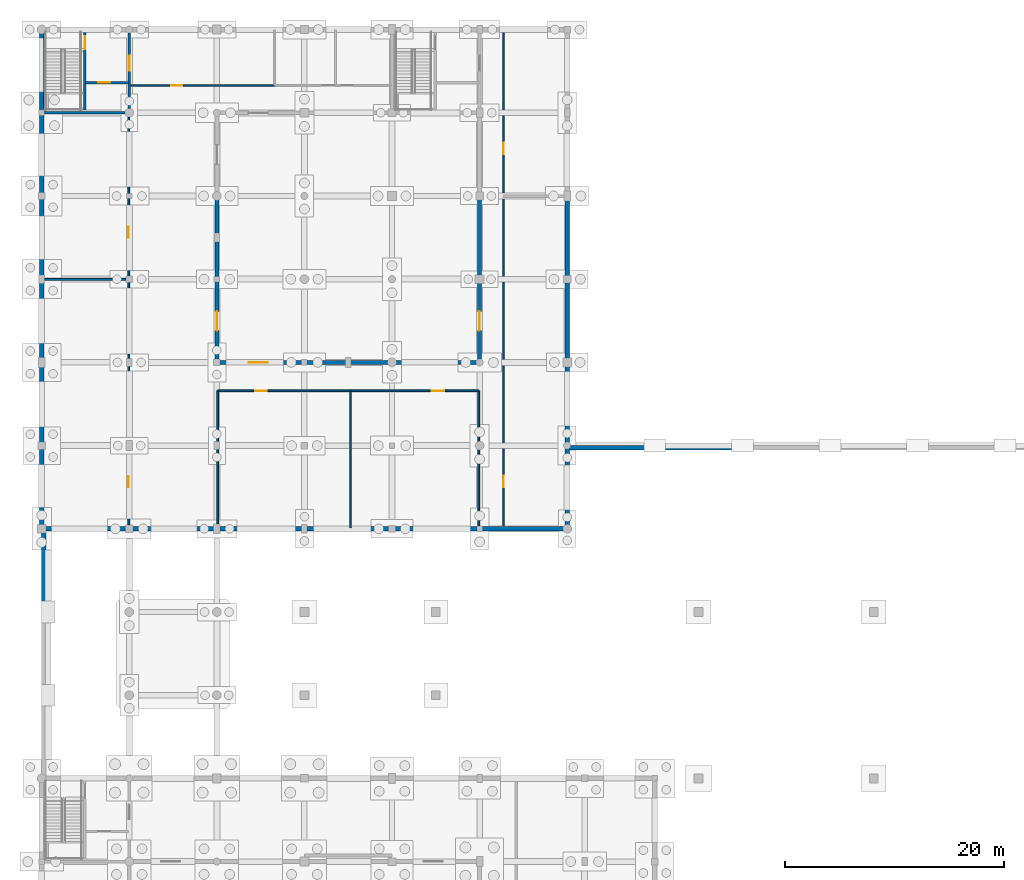
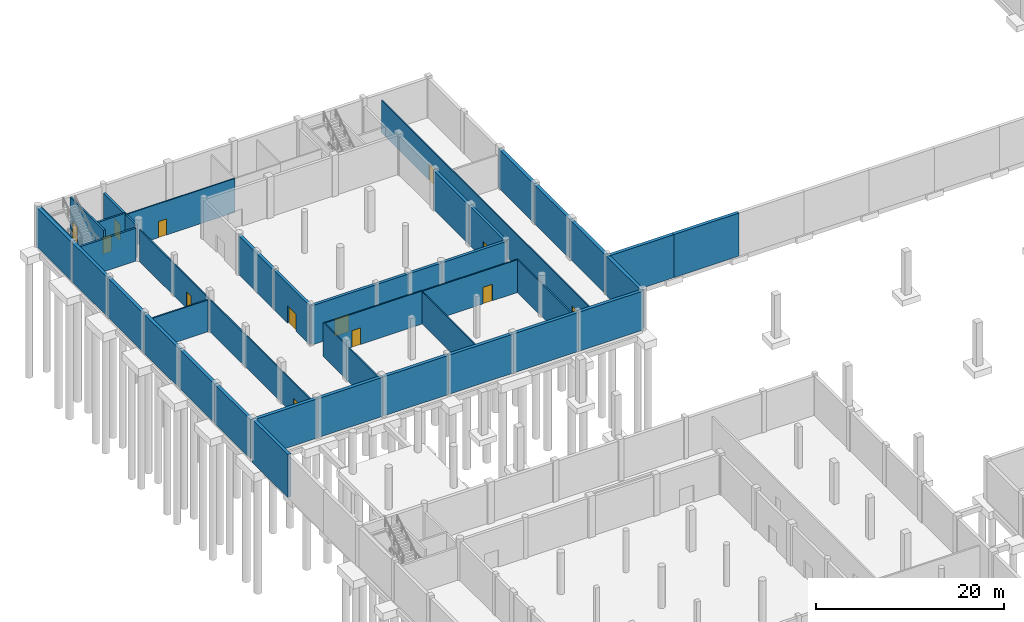
# One storey, part 26 of 44: 40 walls, 13 doors, 13 openings.
"""IFC4 building model written with IfcOpenShell, lengths in metres."""

import ifcopenshell
import ifcopenshell.guid

model = None  # the IFC model being written
_history = None  # IfcOwnerHistory: only IFC2X3 demands one
_inside = {}  # id of a spatial element -> (the spatial element, [elements in it])
_under = {}  # id of a project, library or spatial element -> (it, [spatial elements below it])
_declared = {}  # id of a project -> (the project, [libraries it declares])
_typed = {}  # id of a type object -> (the type object, [elements of that type])
_made_of = {}  # id of a material, layer set ... -> (it, [elements and type objects made of it])


def new_model(schema):
    """Start an empty IFC model of exactly this schema.

    Asked for "IFC4X3", IfcOpenShell would pick the latest addendum, in which some entities
    have other attributes; the version numbers below select the first issue.
    IFC2X3 requires an IfcOwnerHistory on every rooted entity: one is made here for all.
    """
    global model, _history
    if schema == "IFC4X3":
        model = ifcopenshell.file(schema_version=(4, 3, 0, 0))
    else:
        model = ifcopenshell.file(schema=schema)
    _inside.clear()
    _under.clear()
    _declared.clear()
    _typed.clear()
    _made_of.clear()
    _history = None
    if model.schema == "IFC2X3":
        org = make("IfcOrganization", Name="unknown")
        user = make(
            "IfcPersonAndOrganization",
            ThePerson=make("IfcPerson", FamilyName="unknown"),
            TheOrganization=org,
        )
        app = make(
            "IfcApplication",
            ApplicationDeveloper=org,
            Version="unknown",
            ApplicationFullName="unknown",
            ApplicationIdentifier="unknown",
        )
        _history = make(
            "IfcOwnerHistory",
            OwningUser=user,
            OwningApplication=app,
            ChangeAction="ADDED",
            CreationDate=0,
        )
    return model


def make(cls, **values):
    """One entity of the class cls with the attributes given. An attribute that is None is left unset."""
    return model.create_entity(
        cls, **{name: value for name, value in values.items() if value is not None}
    )


def rooted(cls, **values):
    """An entity with a GlobalId (a new one), such as an element, a storey or a relation."""
    return make(cls, GlobalId=ifcopenshell.guid.new(), OwnerHistory=_history, **values)


def si_unit(unit_type, name, prefix=None):
    """IfcSIUnit, for example si_unit("LENGTHUNIT", "METRE", prefix="MILLI")."""
    return make("IfcSIUnit", UnitType=unit_type, Prefix=prefix, Name=name)


def assignment(units):
    """IfcUnitAssignment: the units of a project."""
    return None if units is None else make("IfcUnitAssignment", Units=units)


def point(xyz):
    """IfcCartesianPoint."""
    return None if xyz is None else make("IfcCartesianPoint", Coordinates=xyz)


def direction(xyz):
    """IfcDirection."""
    return None if xyz is None else make("IfcDirection", DirectionRatios=xyz)


def frame(location, z_axis=None, x_axis=None):
    """IfcAxis2Placement3D, a coordinate frame: its origin and axes. An axis left out is left unset."""
    return make(
        "IfcAxis2Placement3D",
        Location=point(location),
        Axis=direction(z_axis),
        RefDirection=direction(x_axis),
    )


def frame_2d(location, x_axis=None):
    """IfcAxis2Placement2D, a coordinate frame in the plane: its origin and x axis."""
    return make(
        "IfcAxis2Placement2D", Location=point(location), RefDirection=direction(x_axis)
    )


def origin():
    """The frame at (0, 0, 0) with its axes left unset."""
    return frame((0.0, 0.0, 0.0))


def place(relative_to, where):
    """IfcLocalPlacement: puts the frame where relative to a parent placement (None: the world)."""
    return make(
        "IfcLocalPlacement", PlacementRelTo=relative_to, RelativePlacement=where
    )


def context(
    kind, dimensions, precision=None, world=None, true_north=None, identifier=None
):
    """IfcGeometricRepresentationContext, for example the 3D "Model" context."""
    return make(
        "IfcGeometricRepresentationContext",
        ContextIdentifier=identifier,
        ContextType=kind,
        CoordinateSpaceDimension=dimensions,
        Precision=precision,
        WorldCoordinateSystem=world,
        TrueNorth=true_north,
    )


def subcontext(parent, identifier, kind, view, scale=None):
    """IfcGeometricRepresentationSubContext, for example "Body" below "Model"."""
    return make(
        "IfcGeometricRepresentationSubContext",
        ContextIdentifier=identifier,
        ContextType=kind,
        ParentContext=parent,
        TargetScale=scale,
        TargetView=view,
    )


def project(units=None, contexts=None):
    """IfcProject with its units and contexts."""
    return rooted(
        "IfcProject",
        Name="project",
        RepresentationContexts=contexts,
        UnitsInContext=assignment(units),
    )


def spatial(cls, under=None, at=None, **own):
    """A site, building, storey or space (cls), placed at a placement, below another one or the project."""
    s = rooted(cls, ObjectPlacement=at, **own)
    if under is not None:
        _under.setdefault(under.id(), (under, []))[1].append(s)
    return s


def profile(cls, at=None, kind="AREA", **sizes):
    """A parametric profile (cls). Its sizes go by their IFC names, for example OverallWidth=200.0."""
    return make(cls, ProfileType=kind, Position=at, **sizes)


def rectangle(**sizes):
    """IfcRectangleProfileDef."""
    return profile("IfcRectangleProfileDef", **sizes)


def extrude(swept, where, along, depth):
    """IfcExtrudedAreaSolid: the profile swept, set in the frame where, extruded along a direction by depth."""
    return make(
        "IfcExtrudedAreaSolid",
        SweptArea=swept,
        Position=where,
        ExtrudedDirection=direction(along),
        Depth=depth,
    )


def shape(context_of_items, identifier, shape_type, items):
    """IfcShapeRepresentation: the items that make up one representation, for example the "Body"."""
    return make(
        "IfcShapeRepresentation",
        ContextOfItems=context_of_items,
        RepresentationIdentifier=identifier,
        RepresentationType=shape_type,
        Items=items,
    )


def material(Name=None, Category=None):
    """IfcMaterial."""
    return make("IfcMaterial", Name=Name, Category=Category)


def layer(
    of_material, thickness, ventilated=None, Name=None, Category=None, Priority=None
):
    """IfcMaterialLayer: one layer of a wall or slab, of a material (None: an air gap)."""
    return make(
        "IfcMaterialLayer",
        Material=of_material,
        LayerThickness=thickness,
        IsVentilated=ventilated,
        Name=Name,
        Category=Category,
        Priority=Priority,
    )


def layer_set(layers, Name=None):
    """IfcMaterialLayerSet."""
    return make("IfcMaterialLayerSet", MaterialLayers=layers, LayerSetName=Name)


def made_of(thing, what):
    """Note that an element or type object is made of a material, layer set ...; save() writes the relation."""
    if what is not None:
        _made_of.setdefault(what.id(), (what, []))[1].append(thing)
    return thing


def type_object(cls, material=None, **own):
    """A type object (cls), such as IfcWallType, which elements share."""
    return made_of(rooted(cls, **own), material)


def element(
    cls,
    number,
    at=None,
    inside=None,
    cuts=None,
    type_object=None,
    material=None,
    context=None,
    identifier="Body",
    shape_type=None,
    held_by="IfcProductDefinitionShape",
    body=None,
    shapes=None,
    **own,
):
    """One element of the class cls, such as IfcWall. Its Tag is "e" and its number.

    at: its placement. inside: the storey or other place that contains it. cuts: it is an
    opening in that element (IfcRelVoidsElement). A single representation is given by context,
    identifier, shape_type and body (its items); several are given by shapes. held_by: the class
    of the entity that holds the representations. save() writes the other relations.
    """
    e = rooted(cls, Tag="e%d" % number, ObjectPlacement=at, **own)
    if body is not None:
        shapes = [shape(context, identifier, shape_type, body)]
    if shapes is not None:
        e.Representation = make(held_by, Representations=shapes)
    if inside is not None:
        _inside.setdefault(inside.id(), (inside, []))[1].append(e)
    if cuts is not None:
        rooted(
            "IfcRelVoidsElement", RelatingBuildingElement=cuts, RelatedOpeningElement=e
        )
    if type_object is not None:
        _typed.setdefault(type_object.id(), (type_object, []))[1].append(e)
    return made_of(e, material)


def fill(opening, filler):
    """IfcRelFillsElement: the door or window that sits in an opening."""
    return rooted(
        "IfcRelFillsElement",
        RelatingOpeningElement=opening,
        RelatedBuildingElement=filler,
    )


def aggregate(whole, parts):
    """IfcRelAggregates: a whole, such as a stair, and the parts it consists of."""
    return rooted("IfcRelAggregates", RelatingObject=whole, RelatedObjects=parts)


def save(model, path):
    """Write the relations noted so far, then the file.

    IfcRelAggregates (storeys below a building ...), IfcRelContainedInSpatialStructure (elements
    in a storey), IfcRelDefinesByType, IfcRelAssociatesMaterial and IfcRelDeclares: one each for
    every whole, place, type object, material and project.
    """
    for whole, parts in _under.values():
        aggregate(whole, parts)
    for where, things in _inside.values():
        rooted(
            "IfcRelContainedInSpatialStructure",
            RelatedElements=things,
            RelatingStructure=where,
        )
    for kind, things in _typed.values():
        rooted("IfcRelDefinesByType", RelatedObjects=things, RelatingType=kind)
    for what, things in _made_of.values():
        rooted("IfcRelAssociatesMaterial", RelatedObjects=things, RelatingMaterial=what)
    for by, libraries in _declared.values():
        rooted("IfcRelDeclares", RelatingContext=by, RelatedDefinitions=libraries)
    model.write(path)


model = new_model("IFC4")

# Units and contexts
model_context = context("Model", 3, precision=1e-05, world=origin(), true_north=direction((0.0, 1.0)))
body_context = subcontext(model_context, "Body", "Model", "MODEL_VIEW")
ifc_project = project(units=[si_unit("LENGTHUNIT", "METRE"), si_unit("AREAUNIT", "SQUARE_METRE"), si_unit("VOLUMEUNIT", "CUBIC_METRE"), si_unit("PLANEANGLEUNIT", "RADIAN"), si_unit("MASSUNIT", "GRAM", prefix="KILO")], contexts=[model_context])

# Site, building, storey
site_placement = place(None, origin())
site = spatial("IfcSite", under=ifc_project, at=site_placement, CompositionType="ELEMENT")
building_placement = place(site_placement, origin())
building = spatial("IfcBuilding", under=site, at=building_placement, Name="Khelvaren Railside Concert Hall", CompositionType="ELEMENT")
storey_placement = place(building_placement, frame((0.0, 0.0, -5.39990234375)))
storey = spatial("IfcBuildingStorey", under=building, at=storey_placement, Name="B1", CompositionType="ELEMENT", Elevation=-5.39990234375)

# Walls
ifc_material_1 = material(Name="Concrete C40/50", Category="concrete")
ifc_layer_1 = layer(ifc_material_1, 0.139892578125)
ifc_layer_set_1 = layer_set([ifc_layer_1], Name="Concrete C40/50")
wall_type_1 = type_object("IfcWallType", Name="CW17", PredefinedType="SOLIDWALL", material=ifc_layer_set_1)
wall_1_placement = place(storey_placement, frame((0.27490234375, 106.550048828125, 0.0), z_axis=(0.0, 0.0, 1.0), x_axis=(0.0, 1.0, 0.0)))
element("IfcWall", 1, at=wall_1_placement, inside=storey, type_object=wall_type_1, Name="Core Shaft Structural Liner Wall ST-07-B1", PredefinedType="SOLIDWALL", context=body_context, shape_type="SweptSolid", body=[
    extrude(rectangle(XDim=7.300048828125, YDim=0.139892578125, at=frame_2d((3.64990234375, 0.0))), origin(), (0.0, 0.0, 1.0), 5.079833984375),
])
ifc_layer_2 = layer(ifc_material_1, 0.25)
ifc_layer_set_2 = layer_set([ifc_layer_2], Name="Concrete C40/50")
wall_type_2 = type_object("IfcWallType", Name="CW82", PredefinedType="SOLIDWALL", material=ifc_layer_set_2)
wall_2_placement = place(storey_placement, frame((0.25, 106.39990234375, 0.0), z_axis=(0.0, 0.0, 1.0), x_axis=(1.0, 0.0, 0.0)))
element("IfcWall", 2, at=wall_2_placement, inside=storey, type_object=wall_type_2, Name="Core Enclosure Wall CWALL-ST-07-B1-S", PredefinedType="SOLIDWALL", context=body_context, shape_type="SweptSolid", body=[
    extrude(rectangle(XDim=7.35009765625, YDim=0.25, at=frame_2d((3.675048828125, 0.0))), origin(), (0.0, 0.0, 1.0), 4.2548828125),
])

# Wall, opening, door
wall_3_placement = place(storey_placement, frame((8.0, 106.800048828125, 0.0), z_axis=(0.0, 0.0, 1.0), x_axis=(0.0, 1.0, 0.0)))
wall_3 = element("IfcWall", 3, at=wall_3_placement, inside=storey, type_object=wall_type_2, Name="Core Enclosure Wall CWALL-ST-07-B1-E", PredefinedType="SOLIDWALL", context=body_context, shape_type="SweptSolid", body=[
    extrude(rectangle(XDim=6.875, YDim=0.25, at=frame_2d((3.4375, 0.0))), origin(), (0.0, 0.0, 1.0), 4.2548828125),
])
opening_1_placement = place(wall_3_placement, frame((3.449951171875, 0.0, 0.0)))
opening_1 = element("IfcOpeningElement", 4, at=opening_1_placement, cuts=wall_3, Name="Opening FDR34", PredefinedType="OPENING", context=body_context, shape_type="SweptSolid", body=[
    extrude(rectangle(XDim=1.35009765625, YDim=2.199951171875, at=frame_2d((0.675048828125, 1.10009765625))), frame((0.0, 0.135009765625, 0.0), z_axis=(0.0, -1.0, 0.0), x_axis=(1.0, 0.0, 0.0)), (0.0, 0.0, 1.0), 0.27001953125),
])
ifc_material_2 = material(Name="Acoustic fire-rated timber-core steel frame door", Category="steel")
door_type_1 = type_object("IfcDoorType", Name="FDR34", OperationType="NOTDEFINED", PredefinedType="DOOR", material=ifc_material_2)
door_1_placement = place(opening_1_placement, origin())
door_1 = element("IfcDoor", 5, at=door_1_placement, inside=storey, type_object=door_type_1, Name="Interior Door DR-ST-07-B1-LOB", OperationType="SINGLE_SWING_LEFT", OverallHeight=2.199951171875, OverallWidth=1.35009765625, PredefinedType="DOOR", context=body_context, shape_type="SweptSolid", body=[
    extrude(rectangle(XDim=1.35009765625, YDim=2.199951171875, at=frame_2d((0.675048828125, 1.10009765625))), frame((0.0, 0.02490234375, 0.0), z_axis=(0.0, -1.0, 0.0), x_axis=(1.0, 0.0, 0.0)), (0.0, 0.0, 1.0), 0.050048828125),
])
fill(opening_1, door_1)

ifc_layer_3 = layer(ifc_material_1, 0.219970703125)
ifc_layer_set_3 = layer_set([ifc_layer_3], Name="Concrete C40/50")
wall_type_3 = type_object("IfcWallType", Name="CW97", PredefinedType="SOLIDWALL", material=ifc_layer_set_3)
wall_4_placement = place(storey_placement, frame((3.949951171875, 106.64990234375, 0.0), z_axis=(0.0, 0.0, 1.0), x_axis=(0.0, 1.0, 0.0)))
wall_4 = element("IfcWall", 6, at=wall_4_placement, inside=storey, type_object=wall_type_3, Name="Core Enclosure Wall CWALL-ST-07-B1-MID", PredefinedType="SOLIDWALL", context=body_context, shape_type="SweptSolid", body=[
    extrude(rectangle(XDim=7.10009765625, YDim=0.219970703125, at=frame_2d((3.550048828125, 0.0))), origin(), (0.0, 0.0, 1.0), 5.079833984375),
])
opening_2_placement = place(wall_4_placement, frame((5.550048828125, 0.0, 0.0)))
opening_2 = element("IfcOpeningElement", 7, at=opening_2_placement, cuts=wall_4, Name="Opening FDR17", PredefinedType="OPENING", context=body_context, shape_type="SweptSolid", body=[
    extrude(rectangle(XDim=1.199951171875, YDim=2.14990234375, at=frame_2d((0.60009765625, 1.074951171875))), frame((0.0, 0.119873046875, 0.0), z_axis=(0.0, -1.0, 0.0), x_axis=(1.0, 0.0, 0.0)), (0.0, 0.0, 1.0), 0.239990234375),
])
door_type_2 = type_object("IfcDoorType", Name="FDR17", OperationType="NOTDEFINED", PredefinedType="DOOR", material=ifc_material_2)
door_2_placement = place(opening_2_placement, origin())
door_2 = element("IfcDoor", 8, at=door_2_placement, inside=storey, type_object=door_type_2, Name="Interior Door DR-ST-07-B1-ST", OperationType="SINGLE_SWING_RIGHT", OverallHeight=2.14990234375, OverallWidth=1.199951171875, PredefinedType="DOOR", context=body_context, shape_type="SweptSolid", body=[
    extrude(rectangle(XDim=1.199951171875, YDim=2.14990234375, at=frame_2d((0.60009765625, 1.074951171875))), frame((0.0, 0.02490234375, 0.0), z_axis=(0.0, -1.0, 0.0), x_axis=(1.0, 0.0, 0.0)), (0.0, 0.0, 1.0), 0.050048828125),
])
fill(opening_2, door_2)

wall_5_placement = place(storey_placement, frame((4.02001953125, 109.14990234375, 0.0), z_axis=(0.0, 0.0, 1.0), x_axis=(1.0, 0.0, 0.0)))
wall_5 = element("IfcWall", 9, at=wall_5_placement, inside=storey, type_object=wall_type_3, Name="Core Enclosure Wall CWALL-ST-07-B1-SHF", PredefinedType="SOLIDWALL", context=body_context, shape_type="SweptSolid", body=[
    extrude(rectangle(XDim=3.929931640625, YDim=0.219970703125, at=frame_2d((1.96484375, 0.0))), origin(), (0.0, 0.0, 1.0), 4.429931640625),
])
opening_3_placement = place(wall_5_placement, frame((1.14990234375, 0.0, 0.0)))
opening_3 = element("IfcOpeningElement", 10, at=opening_3_placement, cuts=wall_5, Name="Opening LD-PL-05", PredefinedType="OPENING", context=body_context, shape_type="SweptSolid", body=[
    extrude(rectangle(XDim=1.10009765625, YDim=2.199951171875, at=frame_2d((0.550048828125, 1.10009765625))), frame((0.0, 0.119873046875, 0.0), z_axis=(0.0, -1.0, 0.0), x_axis=(1.0, 0.0, 0.0)), (0.0, 0.0, 1.0), 0.239990234375),
])
ifc_material_3 = material(Name="Fire-rated brushed stainless steel landing door", Category="steel")
door_type_3 = type_object("IfcDoorType", Name="LD96", OperationType="DOUBLE_DOOR_SLIDING", PredefinedType="DOOR", material=ifc_material_3)
door_3_placement = place(opening_3_placement, origin())
door_3 = element("IfcDoor", 11, at=door_3_placement, inside=storey, type_object=door_type_3, Name="Lift Landing Door LD-PL-05-B1", OperationType="DOUBLE_DOOR_SLIDING", OverallHeight=2.199951171875, OverallWidth=1.10009765625, PredefinedType="DOOR", context=body_context, shape_type="SweptSolid", body=[
    extrude(rectangle(XDim=1.10009765625, YDim=2.199951171875, at=frame_2d((0.550048828125, 1.10009765625))), frame((0.0, 0.02490234375, 0.0), z_axis=(0.0, -1.0, 0.0), x_axis=(1.0, 0.0, 0.0)), (0.0, 0.0, 1.0), 0.050048828125),
])
fill(opening_3, door_3)

# Walls
ifc_material_4 = material(Name="Acoustic double-stud gypsum partition", Category="gypsum")
ifc_layer_4 = layer(ifc_material_4, 0.1298828125)
ifc_layer_set_4 = layer_set([ifc_layer_4], Name="Acoustic double-stud gypsum partition")
wall_type_4 = type_object("IfcWallType", Name="PT31", PredefinedType="PARTITIONING", material=ifc_layer_set_4)
wall_6_placement = place(storey_placement, frame((28.201904296875, 68.47998046875, 0.0), z_axis=(0.0, 0.0, 1.0), x_axis=(0.0, 1.0, 0.0)))
element("IfcWall", 12, at=wall_6_placement, inside=storey, type_object=wall_type_4, Name="Acoustic Partition Wall PW-V4-B1-SB-D01", PredefinedType="PARTITIONING", context=body_context, shape_type="SweptSolid", body=[
    extrude(rectangle(XDim=12.52001953125, YDim=0.1298828125, at=frame_2d((6.260009765625, 0.0))), origin(), (0.0, 0.0, 1.0), 4.15478515625),
])
ifc_layer_5 = layer(ifc_material_4, 0.179931640625)
ifc_layer_set_5 = layer_set([ifc_layer_5], Name="Acoustic double-stud gypsum partition")
wall_type_5 = type_object("IfcWallType", Name="PT53", PredefinedType="PARTITIONING", material=ifc_layer_set_5)
wall_7_placement = place(storey_placement, frame((0.25, 91.179931640625, 0.0), z_axis=(0.0, 0.0, 1.0), x_axis=(1.0, 0.0, 0.0)))
element("IfcWall", 13, at=wall_7_placement, inside=storey, type_object=wall_type_5, Name="Acoustic Partition Wall PW-V4-B1-WB-D01", PredefinedType="PARTITIONING", context=body_context, shape_type="SweptSolid", body=[
    extrude(rectangle(XDim=7.449951171875, YDim=0.179931640625, at=frame_2d((3.72509765625, 0.0))), origin(), (0.0, 0.0, 1.0), 4.119873046875),
])

# Wall, opening, door
ifc_layer_6 = layer(ifc_material_4, 0.139892578125)
ifc_layer_set_6 = layer_set([ifc_layer_6], Name="Acoustic double-stud gypsum partition")
wall_type_6 = type_object("IfcWallType", Name="PT55", PredefinedType="PARTITIONING", material=ifc_layer_set_6)
wall_8_placement = place(storey_placement, frame((8.080078125, 108.89990234375, 0.0), z_axis=(0.0, 0.0, 1.0), x_axis=(1.0, 0.0, 0.0)))
wall_8 = element("IfcWall", 14, at=wall_8_placement, inside=storey, type_object=wall_type_6, Name="Acoustic Partition Wall PW-V4-B1-NB-C01", PredefinedType="PARTITIONING", context=body_context, shape_type="SweptSolid", body=[
    extrude(rectangle(XDim=13.18798828125, YDim=0.139892578125, at=frame_2d((6.593994140625, 0.0))), origin(), (0.0, 0.0, 1.0), 4.40478515625),
])
opening_4_placement = place(wall_8_placement, frame((3.744384765625, 0.0, 0.0)))
opening_4 = element("IfcOpeningElement", 15, at=opening_4_placement, cuts=wall_8, Name="Opening IDR87", PredefinedType="OPENING", context=body_context, shape_type="SweptSolid", body=[
    extrude(rectangle(XDim=1.02001953125, YDim=2.10009765625, at=frame_2d((0.510009765625, 1.050048828125))), frame((0.0, 0.079833984375, 0.0), z_axis=(0.0, -1.0, 0.0), x_axis=(1.0, 0.0, 0.0)), (0.0, 0.0, 1.0), 0.159912109375),
])
ifc_material_5 = material(Name="Solid oak acoustic studio door", Category="wood")
door_type_4 = type_object("IfcDoorType", Name="IDR87", OperationType="NOTDEFINED", PredefinedType="DOOR", material=ifc_material_5)
door_4_placement = place(opening_4_placement, origin())
door_4 = element("IfcDoor", 16, at=door_4_placement, inside=storey, type_object=door_type_4, Name="Interior Door DR-V4-B1-NB-01", OperationType="SINGLE_SWING_RIGHT", OverallHeight=2.10009765625, OverallWidth=1.02001953125, PredefinedType="DOOR", context=body_context, shape_type="SweptSolid", body=[
    extrude(rectangle(XDim=1.02001953125, YDim=2.10009765625, at=frame_2d((0.510009765625, 1.050048828125))), frame((0.0, 0.02490234375, 0.0), z_axis=(0.0, -1.0, 0.0), x_axis=(1.0, 0.0, 0.0)), (0.0, 0.0, 1.0), 0.050048828125),
])
fill(opening_4, door_4)

# Wall, openings, doors
wall_9_placement = place(storey_placement, frame((42.199951171875, 68.47998046875, 0.0), z_axis=(0.0, 0.0, 1.0), x_axis=(0.0, 1.0, 0.0)))
wall_9 = element("IfcWall", 17, at=wall_9_placement, inside=storey, type_object=wall_type_6, Name="Acoustic Partition Wall PW-V4-B1-EB-W", PredefinedType="PARTITIONING", context=body_context, shape_type="SweptSolid", body=[
    extrude(rectangle(XDim=45.43994140625, YDim=0.139892578125, at=frame_2d((22.719970703125, 0.0))), origin(), (0.0, 0.0, 1.0), 4.204833984375),
])
opening_5_placement = place(wall_9_placement, frame((3.719970703125, 0.0, 0.0)))
opening_5 = element("IfcOpeningElement", 18, at=opening_5_placement, cuts=wall_9, Name="Opening IDR24", PredefinedType="OPENING", context=body_context, shape_type="SweptSolid", body=[
    extrude(rectangle(XDim=1.0400390625, YDim=2.14990234375, at=frame_2d((0.52001953125, 1.074951171875))), frame((0.0, 0.079833984375, 0.0), z_axis=(0.0, -1.0, 0.0), x_axis=(1.0, 0.0, 0.0)), (0.0, 0.0, 1.0), 0.159912109375),
])
opening_6_placement = place(wall_9_placement, frame((34.1201171875, 0.0, 0.0)))
opening_6 = element("IfcOpeningElement", 19, at=opening_6_placement, cuts=wall_9, Name="Opening IDR62", PredefinedType="OPENING", context=body_context, shape_type="SweptSolid", body=[
    extrude(rectangle(XDim=1.070068359375, YDim=2.14990234375, at=frame_2d((0.53515625, 1.074951171875))), frame((0.0, 0.079833984375, 0.0), z_axis=(0.0, -1.0, 0.0), x_axis=(1.0, 0.0, 0.0)), (0.0, 0.0, 1.0), 0.159912109375),
])
door_type_5 = type_object("IfcDoorType", Name="IDR24", OperationType="NOTDEFINED", PredefinedType="DOOR", material=ifc_material_5)
door_5_placement = place(opening_5_placement, origin())
door_5 = element("IfcDoor", 20, at=door_5_placement, inside=storey, type_object=door_type_5, Name="Interior Door DR-V4-B1-EB-01", OperationType="SINGLE_SWING_LEFT", OverallHeight=2.14990234375, OverallWidth=1.0400390625, PredefinedType="DOOR", context=body_context, shape_type="SweptSolid", body=[
    extrude(rectangle(XDim=1.0400390625, YDim=2.14990234375, at=frame_2d((0.52001953125, 1.074951171875))), frame((0.0, 0.02490234375, 0.0), z_axis=(0.0, -1.0, 0.0), x_axis=(1.0, 0.0, 0.0)), (0.0, 0.0, 1.0), 0.050048828125),
])
fill(opening_5, door_5)
door_type_6 = type_object("IfcDoorType", Name="IDR62", OperationType="NOTDEFINED", PredefinedType="DOOR", material=ifc_material_5)
door_6_placement = place(opening_6_placement, origin())
door_6 = element("IfcDoor", 21, at=door_6_placement, inside=storey, type_object=door_type_6, Name="Interior Door DR-V4-B1-EB-02", OperationType="SINGLE_SWING_RIGHT", OverallHeight=2.14990234375, OverallWidth=1.070068359375, PredefinedType="DOOR", context=body_context, shape_type="SweptSolid", body=[
    extrude(rectangle(XDim=1.070068359375, YDim=2.14990234375, at=frame_2d((0.53515625, 1.074951171875))), frame((0.0, 0.02490234375, 0.0), z_axis=(0.0, -1.0, 0.0), x_axis=(1.0, 0.0, 0.0)), (0.0, 0.0, 1.0), 0.050048828125),
])
fill(opening_6, door_6)

# Wall, opening, door
ifc_layer_7 = layer(ifc_material_4, 0.159912109375)
ifc_layer_set_7 = layer_set([ifc_layer_7], Name="Acoustic double-stud gypsum partition")
wall_type_7 = type_object("IfcWallType", Name="PT60", PredefinedType="PARTITIONING", material=ifc_layer_set_7)
wall_10_placement = place(storey_placement, frame((16.080078125, 81.0, 0.0), z_axis=(0.0, 0.0, 1.0), x_axis=(1.0, 0.0, 0.0)))
wall_10 = element("IfcWall", 22, at=wall_10_placement, inside=storey, type_object=wall_type_7, Name="Acoustic Partition Wall PW-V4-B1-SB-C01", PredefinedType="PARTITIONING", context=body_context, shape_type="SweptSolid", body=[
    extrude(rectangle(XDim=12.121826171875, YDim=0.159912109375, at=frame_2d((6.06103515625, 0.0))), origin(), (0.0, 0.0, 1.0), 4.304931640625),
])
opening_7_placement = place(wall_10_placement, frame((3.424560546875, 0.0, 0.0)))
opening_7 = element("IfcOpeningElement", 23, at=opening_7_placement, cuts=wall_10, Name="Opening IDR62", PredefinedType="OPENING", context=body_context, shape_type="SweptSolid", body=[
    extrude(rectangle(XDim=1.070068359375, YDim=2.14990234375, at=frame_2d((0.53515625, 1.074951171875))), frame((0.0, 0.08984375, 0.0), z_axis=(0.0, -1.0, 0.0), x_axis=(1.0, 0.0, 0.0)), (0.0, 0.0, 1.0), 0.179931640625),
])
door_7_placement = place(opening_7_placement, origin())
door_7 = element("IfcDoor", 24, at=door_7_placement, inside=storey, type_object=door_type_6, Name="Interior Door DR-V4-B1-SB-01", OperationType="SINGLE_SWING_LEFT", OverallHeight=2.14990234375, OverallWidth=1.070068359375, PredefinedType="DOOR", context=body_context, shape_type="SweptSolid", body=[
    extrude(rectangle(XDim=1.070068359375, YDim=2.14990234375, at=frame_2d((0.53515625, 1.074951171875))), frame((0.0, 0.02490234375, 0.0), z_axis=(0.0, -1.0, 0.0), x_axis=(1.0, 0.0, 0.0)), (0.0, 0.0, 1.0), 0.050048828125),
])
fill(opening_7, door_7)

wall_11_placement = place(storey_placement, frame((28.201904296875, 81.0, 0.0), z_axis=(0.0, 0.0, 1.0), x_axis=(1.0, 0.0, 0.0)))
wall_11 = element("IfcWall", 25, at=wall_11_placement, inside=storey, type_object=wall_type_7, Name="Acoustic Partition Wall PW-V4-B1-SB-C02", PredefinedType="PARTITIONING", context=body_context, shape_type="SweptSolid", body=[
    extrude(rectangle(XDim=11.718017578125, YDim=0.159912109375, at=frame_2d((5.85888671875, 0.0))), origin(), (0.0, 0.0, 1.0), 4.2548828125),
])
opening_8_placement = place(wall_11_placement, frame((7.41455078125, 0.0, 0.0)))
opening_8 = element("IfcOpeningElement", 26, at=opening_8_placement, cuts=wall_11, Name="Opening IDR73", PredefinedType="OPENING", context=body_context, shape_type="SweptSolid", body=[
    extrude(rectangle(XDim=1.14990234375, YDim=2.14990234375, at=frame_2d((0.574951171875, 1.074951171875))), frame((0.0, 0.08984375, 0.0), z_axis=(0.0, -1.0, 0.0), x_axis=(1.0, 0.0, 0.0)), (0.0, 0.0, 1.0), 0.179931640625),
])
door_type_7 = type_object("IfcDoorType", Name="IDR73", OperationType="NOTDEFINED", PredefinedType="DOOR", material=ifc_material_5)
door_8_placement = place(opening_8_placement, origin())
door_8 = element("IfcDoor", 27, at=door_8_placement, inside=storey, type_object=door_type_7, Name="Interior Door DR-V4-B1-SB-02", OperationType="SINGLE_SWING_RIGHT", OverallHeight=2.14990234375, OverallWidth=1.14990234375, PredefinedType="DOOR", context=body_context, shape_type="SweptSolid", body=[
    extrude(rectangle(XDim=1.14990234375, YDim=2.14990234375, at=frame_2d((0.574951171875, 1.074951171875))), frame((0.0, 0.02490234375, 0.0), z_axis=(0.0, -1.0, 0.0), x_axis=(1.0, 0.0, 0.0)), (0.0, 0.0, 1.0), 0.050048828125),
])
fill(opening_8, door_8)

# Walls
wall_12_placement = place(storey_placement, frame((16.080078125, 68.85009765625, 0.0), z_axis=(0.0, 0.0, 1.0), x_axis=(0.0, 1.0, 0.0)))
element("IfcWall", 28, at=wall_12_placement, inside=storey, type_object=wall_type_7, Name="Acoustic Partition Wall PW-V4-B1-SB-W0", PredefinedType="PARTITIONING", context=body_context, shape_type="SweptSolid", body=[
    extrude(rectangle(XDim=12.14990234375, YDim=0.159912109375, at=frame_2d((6.074951171875, 0.0))), origin(), (0.0, 0.0, 1.0), 4.409912109375),
])
wall_13_placement = place(storey_placement, frame((39.919921875, 68.64990234375, 0.0), z_axis=(0.0, 0.0, 1.0), x_axis=(0.0, 1.0, 0.0)))
element("IfcWall", 29, at=wall_13_placement, inside=storey, type_object=wall_type_7, Name="Acoustic Partition Wall PW-V4-B1-SB-E0", PredefinedType="PARTITIONING", context=body_context, shape_type="SweptSolid", body=[
    extrude(rectangle(XDim=12.35009765625, YDim=0.159912109375, at=frame_2d((6.175048828125, 0.0))), origin(), (0.0, 0.0, 1.0), 4.2548828125),
])

# Wall, openings, doors
ifc_layer_8 = layer(ifc_material_4, 0.14990234375)
ifc_layer_set_8 = layer_set([ifc_layer_8], Name="Acoustic double-stud gypsum partition")
wall_type_8 = type_object("IfcWallType", Name="PT72", PredefinedType="PARTITIONING", material=ifc_layer_set_8)
wall_14_placement = place(storey_placement, frame((7.949951171875, 68.75, 0.0), z_axis=(0.0, 0.0, 1.0), x_axis=(0.0, 1.0, 0.0)))
wall_14 = element("IfcWall", 30, at=wall_14_placement, inside=storey, type_object=wall_type_8, Name="Acoustic Partition Wall PW-V4-B1-WB-E", PredefinedType="PARTITIONING", context=body_context, shape_type="SweptSolid", body=[
    extrude(rectangle(XDim=37.25, YDim=0.14990234375, at=frame_2d((18.625, 0.0))), origin(), (0.0, 0.0, 1.0), 4.15478515625),
])
opening_9_placement = place(wall_14_placement, frame((3.449951171875, 0.0, 0.0)))
opening_9 = element("IfcOpeningElement", 31, at=opening_9_placement, cuts=wall_14, Name="Opening IDR67", PredefinedType="OPENING", context=body_context, shape_type="SweptSolid", body=[
    extrude(rectangle(XDim=0.97998046875, YDim=2.14990234375, at=frame_2d((0.489990234375, 1.074951171875))), frame((0.0, 0.0849609375, 0.0), z_axis=(0.0, -1.0, 0.0), x_axis=(1.0, 0.0, 0.0)), (0.0, 0.0, 1.0), 0.169921875),
])
opening_10_placement = place(wall_14_placement, frame((26.25, 0.0, 0.0)))
opening_10 = element("IfcOpeningElement", 32, at=opening_10_placement, cuts=wall_14, Name="Opening IDR26", PredefinedType="OPENING", context=body_context, shape_type="SweptSolid", body=[
    extrude(rectangle(XDim=1.010009765625, YDim=2.14990234375, at=frame_2d((0.5048828125, 1.074951171875))), frame((0.0, 0.0849609375, 0.0), z_axis=(0.0, -1.0, 0.0), x_axis=(1.0, 0.0, 0.0)), (0.0, 0.0, 1.0), 0.169921875),
])
door_type_8 = type_object("IfcDoorType", Name="IDR26", OperationType="NOTDEFINED", PredefinedType="DOOR", material=ifc_material_5)
door_9_placement = place(opening_10_placement, origin())
door_9 = element("IfcDoor", 33, at=door_9_placement, inside=storey, type_object=door_type_8, Name="Interior Door DR-V4-B1-WB-02", OperationType="SINGLE_SWING_RIGHT", OverallHeight=2.14990234375, OverallWidth=1.010009765625, PredefinedType="DOOR", context=body_context, shape_type="SweptSolid", body=[
    extrude(rectangle(XDim=1.010009765625, YDim=2.14990234375, at=frame_2d((0.5048828125, 1.074951171875))), frame((0.0, 0.02490234375, 0.0), z_axis=(0.0, -1.0, 0.0), x_axis=(1.0, 0.0, 0.0)), (0.0, 0.0, 1.0), 0.050048828125),
])
fill(opening_10, door_9)
door_type_9 = type_object("IfcDoorType", Name="IDR67", OperationType="NOTDEFINED", PredefinedType="DOOR", material=ifc_material_5)
door_10_placement = place(opening_9_placement, origin())
door_10 = element("IfcDoor", 34, at=door_10_placement, inside=storey, type_object=door_type_9, Name="Interior Door DR-V4-B1-WB-01", OperationType="SINGLE_SWING_LEFT", OverallHeight=2.14990234375, OverallWidth=0.97998046875, PredefinedType="DOOR", context=body_context, shape_type="SweptSolid", body=[
    extrude(rectangle(XDim=0.97998046875, YDim=2.14990234375, at=frame_2d((0.489990234375, 1.074951171875))), frame((0.0, 0.02490234375, 0.0), z_axis=(0.0, -1.0, 0.0), x_axis=(1.0, 0.0, 0.0)), (0.0, 0.0, 1.0), 0.050048828125),
])
fill(opening_9, door_10)

# Walls
ifc_layer_9 = layer(ifc_material_1, 0.39990234375)
ifc_layer_set_9 = layer_set([ifc_layer_9], Name="Concrete C40/50")
wall_type_9 = type_object("IfcWallType", Name="RW96", PredefinedType="USERDEFINED", material=ifc_layer_set_9)
for number, where, z_axis, x_axis, name in (
    (35, (0.0, 68.39990234375, 0.0), (0.0, 0.0, 1.0), (1.0, 0.0, 0.0), "V4 Basement Retaining Wall S01"),
    (36, (8.0, 68.39990234375, 0.0), (0.0, 0.0, 1.0), (1.0, 0.0, 0.0), "V4 Basement Retaining Wall S02"),
    (37, (16.0, 68.39990234375, 0.0), (0.0, 0.0, 1.0), (1.0, 0.0, 0.0), "V4 Basement Retaining Wall S03"),
    (38, (24.0, 68.39990234375, 0.0), (0.0, 0.0, 1.0), (1.0, 0.0, 0.0), "V4 Basement Retaining Wall S04"),
    (39, (32.0, 68.39990234375, 0.0), (0.0, 0.0, 1.0), (1.0, 0.0, 0.0), "V4 Basement Retaining Wall S05"),
    (40, (40.0, 68.39990234375, 0.0), (0.0, 0.0, 1.0), (1.0, 0.0, 0.0), "V4 Basement Retaining Wall S06"),
):
    element("IfcWall", number, at=place(storey_placement, frame(where, z_axis=z_axis, x_axis=x_axis)), inside=storey, type_object=wall_type_9, Name=name, ObjectType="RETAINING WALL", PredefinedType="USERDEFINED", context=body_context, shape_type="SweptSolid", body=[
        extrude(rectangle(XDim=8.0, YDim=0.39990234375, at=frame_2d((4.0, 0.0))), origin(), (0.0, 0.0, 1.0), 5.079833984375),
    ])
for number, where, z_axis, x_axis, name in (
    (41, (0.0, 76.0, 0.0), (0.0, 0.0, 1.0), (0.0, -1.0, 0.0), "V4 Basement Retaining Wall W01"),
    (42, (0.0, 83.60009765625, 0.0), (0.0, 0.0, 1.0), (0.0, -1.0, 0.0), "V4 Basement Retaining Wall W02"),
):
    element("IfcWall", number, at=place(storey_placement, frame(where, z_axis=z_axis, x_axis=x_axis)), inside=storey, type_object=wall_type_9, Name=name, ObjectType="RETAINING WALL", PredefinedType="USERDEFINED", context=body_context, shape_type="SweptSolid", body=[
        extrude(rectangle(XDim=7.60009765625, YDim=0.39990234375, at=frame_2d((3.800048828125, 0.0))), origin(), (0.0, 0.0, 1.0), 5.079833984375),
    ])
wall_15_placement = place(storey_placement, frame((0.0, 91.199951171875, 0.0), z_axis=(0.0, 0.0, 1.0), x_axis=(0.0, -1.0, 0.0)))
element("IfcWall", 43, at=wall_15_placement, inside=storey, type_object=wall_type_9, Name="V4 Basement Retaining Wall W03", ObjectType="RETAINING WALL", PredefinedType="USERDEFINED", context=body_context, shape_type="SweptSolid", body=[
    extrude(rectangle(XDim=7.599853515625, YDim=0.39990234375, at=frame_2d((3.7998046875, 0.0))), origin(), (0.0, 0.0, 1.0), 5.079833984375),
])
wall_16_placement = place(storey_placement, frame((0.0, 98.800048828125, 0.0), z_axis=(0.0, 0.0, 1.0), x_axis=(0.0, -1.0, 0.0)))
element("IfcWall", 44, at=wall_16_placement, inside=storey, type_object=wall_type_9, Name="V4 Basement Retaining Wall W04", ObjectType="RETAINING WALL", PredefinedType="USERDEFINED", context=body_context, shape_type="SweptSolid", body=[
    extrude(rectangle(XDim=7.60009765625, YDim=0.39990234375, at=frame_2d((3.800048828125, 0.0))), origin(), (0.0, 0.0, 1.0), 5.079833984375),
])
wall_17_placement = place(storey_placement, frame((0.0, 106.39990234375, 0.0), z_axis=(0.0, 0.0, 1.0), x_axis=(0.0, -1.0, 0.0)))
element("IfcWall", 45, at=wall_17_placement, inside=storey, type_object=wall_type_9, Name="V4 Basement Retaining Wall W05", ObjectType="RETAINING WALL", PredefinedType="USERDEFINED", context=body_context, shape_type="SweptSolid", body=[
    extrude(rectangle(XDim=7.599853515625, YDim=0.39990234375, at=frame_2d((3.7998046875, 0.0))), origin(), (0.0, 0.0, 1.0), 5.079833984375),
])
for number, where, z_axis, x_axis, name in (
    (46, (0.0, 114.0, 0.0), (0.0, 0.0, 1.0), (0.0, -1.0, 0.0), "V4 Basement Retaining Wall W06"),
    (47, (48.0, 68.39990234375, 0.0), (0.0, 0.0, 1.0), (0.0, 1.0, 0.0), "V4 Basement Retaining Wall E01"),
    (48, (48.0, 76.0, 0.0), (0.0, 0.0, 1.0), (0.0, 1.0, 0.0), "V4 Basement Retaining Wall E02"),
):
    element("IfcWall", number, at=place(storey_placement, frame(where, z_axis=z_axis, x_axis=x_axis)), inside=storey, type_object=wall_type_9, Name=name, ObjectType="RETAINING WALL", PredefinedType="USERDEFINED", context=body_context, shape_type="SweptSolid", body=[
        extrude(rectangle(XDim=7.60009765625, YDim=0.39990234375, at=frame_2d((3.800048828125, 0.0))), origin(), (0.0, 0.0, 1.0), 5.079833984375),
    ])
wall_18_placement = place(storey_placement, frame((48.0, 83.60009765625, 0.0), z_axis=(0.0, 0.0, 1.0), x_axis=(0.0, 1.0, 0.0)))
element("IfcWall", 49, at=wall_18_placement, inside=storey, type_object=wall_type_9, Name="V4 Basement Retaining Wall E03", ObjectType="RETAINING WALL", PredefinedType="USERDEFINED", context=body_context, shape_type="SweptSolid", body=[
    extrude(rectangle(XDim=7.599853515625, YDim=0.39990234375, at=frame_2d((3.7998046875, 0.0))), origin(), (0.0, 0.0, 1.0), 5.079833984375),
])
wall_19_placement = place(storey_placement, frame((48.0, 91.199951171875, 0.0), z_axis=(0.0, 0.0, 1.0), x_axis=(0.0, 1.0, 0.0)))
element("IfcWall", 50, at=wall_19_placement, inside=storey, type_object=wall_type_9, Name="V4 Basement Retaining Wall E04", ObjectType="RETAINING WALL", PredefinedType="USERDEFINED", context=body_context, shape_type="SweptSolid", body=[
    extrude(rectangle(XDim=7.60009765625, YDim=0.39990234375, at=frame_2d((3.800048828125, 0.0))), origin(), (0.0, 0.0, 1.0), 5.079833984375),
])
wall_20_placement = place(storey_placement, frame((0.199951171875, 60.800048828125, -0.5), z_axis=(0.0, 0.0, 1.0), x_axis=(0.0, 1.0, 0.0)))
element("IfcWall", 51, at=wall_20_placement, inside=storey, type_object=wall_type_9, Name="Courtyard Perimeter Retaining Wall COURT-W03", ObjectType="RETAINING WALL", PredefinedType="USERDEFINED", context=body_context, shape_type="SweptSolid", body=[
    extrude(rectangle(XDim=7.599853515625, YDim=0.39990234375, at=frame_2d((3.7998046875, 0.0))), origin(), (0.0, 0.0, 1.0), 5.599853515625),
])
for number, where, z_axis, x_axis, name in (
    (52, (48.0, 75.800048828125, -0.5), (0.0, 0.0, 1.0), (1.0, 0.0, 0.0), "Courtyard Perimeter Retaining Wall PLAZA-N01"),
    (53, (56.0, 75.800048828125, -0.5), (0.0, 0.0, 1.0), (1.0, 0.0, 0.0), "Courtyard Perimeter Retaining Wall PLAZA-N02"),
):
    element("IfcWall", number, at=place(storey_placement, frame(where, z_axis=z_axis, x_axis=x_axis)), inside=storey, type_object=wall_type_9, Name=name, ObjectType="RETAINING WALL", PredefinedType="USERDEFINED", context=body_context, shape_type="SweptSolid", body=[
        extrude(rectangle(XDim=8.0, YDim=0.39990234375, at=frame_2d((4.0, 0.0))), origin(), (0.0, 0.0, 1.0), 5.599853515625),
    ])

# Wall, opening, door
ifc_layer_10 = layer(ifc_material_1, 0.35009765625)
ifc_layer_set_10 = layer_set([ifc_layer_10], Name="Concrete C40/50")
wall_type_10 = type_object("IfcWallType", Name="SW91", PredefinedType="SHEAR", material=ifc_layer_set_10)
wall_21_placement = place(storey_placement, frame((16.0, 83.60009765625, 0.0), z_axis=(0.0, 0.0, 1.0), x_axis=(1.0, 0.0, 0.0)))
wall_21 = element("IfcWall", 54, at=wall_21_placement, inside=storey, type_object=wall_type_10, Name="V4 Chamber Box Shear Wall B1 S1", PredefinedType="SHEAR", context=body_context, shape_type="SweptSolid", body=[
    extrude(rectangle(XDim=8.0, YDim=0.35009765625, at=frame_2d((4.0, 0.0))), origin(), (0.0, 0.0, 1.0), 5.079833984375),
])
opening_11_placement = place(wall_21_placement, frame((2.89990234375, 0.0, 0.0)))
opening_11 = element("IfcOpeningElement", 55, at=opening_11_placement, cuts=wall_21, Name="Opening ADR83", PredefinedType="OPENING", context=body_context, shape_type="SweptSolid", body=[
    extrude(rectangle(XDim=1.75, YDim=2.25, at=frame_2d((0.875, 1.125))), frame((0.0, 0.18505859375, 0.0), z_axis=(0.0, -1.0, 0.0), x_axis=(1.0, 0.0, 0.0)), (0.0, 0.0, 1.0), 0.3701171875),
])
ifc_material_6 = material(Name="Heavy acoustic double sound-lock fire door", Category="wood")
door_type_10 = type_object("IfcDoorType", Name="ADR83", OperationType="DOUBLE_DOOR_SINGLE_SWING", PredefinedType="DOOR", material=ifc_material_6)
door_11_placement = place(opening_11_placement, origin())
door_11 = element("IfcDoor", 56, at=door_11_placement, inside=storey, type_object=door_type_10, Name="Chamber Music Hall Acoustic Sound-Lock Door B1-S1", OperationType="DOUBLE_DOOR_SINGLE_SWING", OverallHeight=2.25, OverallWidth=1.75, PredefinedType="DOOR", context=body_context, shape_type="SweptSolid", body=[
    extrude(rectangle(XDim=1.75, YDim=2.25, at=frame_2d((0.875, 1.125))), frame((0.0, 0.02490234375, 0.0), z_axis=(0.0, -1.0, 0.0), x_axis=(1.0, 0.0, 0.0)), (0.0, 0.0, 1.0), 0.050048828125),
])
fill(opening_11, door_11)

# Walls
for number, where, z_axis, x_axis, name in (
    (57, (24.0, 83.60009765625, 0.0), (0.0, 0.0, 1.0), (1.0, 0.0, 0.0), "V4 Chamber Box Shear Wall B1 S2"),
    (58, (32.0, 83.60009765625, 0.0), (0.0, 0.0, 1.0), (1.0, 0.0, 0.0), "V4 Chamber Box Shear Wall B1 S3"),
):
    element("IfcWall", number, at=place(storey_placement, frame(where, z_axis=z_axis, x_axis=x_axis)), inside=storey, type_object=wall_type_10, Name=name, PredefinedType="SHEAR", context=body_context, shape_type="SweptSolid", body=[
        extrude(rectangle(XDim=8.0, YDim=0.35009765625, at=frame_2d((4.0, 0.0))), origin(), (0.0, 0.0, 1.0), 5.079833984375),
    ])

# Wall, opening, door
wall_22_placement = place(storey_placement, frame((16.0, 83.60009765625, 0.0), z_axis=(0.0, 0.0, 1.0), x_axis=(0.0, 1.0, 0.0)))
wall_22 = element("IfcWall", 59, at=wall_22_placement, inside=storey, type_object=wall_type_10, Name="V4 Chamber Box Shear Wall B1 W1", PredefinedType="SHEAR", context=body_context, shape_type="SweptSolid", body=[
    extrude(rectangle(XDim=7.599853515625, YDim=0.35009765625, at=frame_2d((3.7998046875, 0.0))), origin(), (0.0, 0.0, 1.0), 5.079833984375),
])
opening_12_placement = place(wall_22_placement, frame((2.89990234375, 0.0, 0.0)))
opening_12 = element("IfcOpeningElement", 60, at=opening_12_placement, cuts=wall_22, Name="Opening ADR83", PredefinedType="OPENING", context=body_context, shape_type="SweptSolid", body=[
    extrude(rectangle(XDim=1.75, YDim=2.25, at=frame_2d((0.875, 1.125))), frame((0.0, 0.18505859375, 0.0), z_axis=(0.0, -1.0, 0.0), x_axis=(1.0, 0.0, 0.0)), (0.0, 0.0, 1.0), 0.3701171875),
])
door_12_placement = place(opening_12_placement, origin())
door_12 = element("IfcDoor", 61, at=door_12_placement, inside=storey, type_object=door_type_10, Name="Chamber Music Hall Acoustic Sound-Lock Door B1-W1", OperationType="DOUBLE_DOOR_SINGLE_SWING", OverallHeight=2.25, OverallWidth=1.75, PredefinedType="DOOR", context=body_context, shape_type="SweptSolid", body=[
    extrude(rectangle(XDim=1.75, YDim=2.25, at=frame_2d((0.875, 1.125))), frame((0.0, 0.02490234375, 0.0), z_axis=(0.0, -1.0, 0.0), x_axis=(1.0, 0.0, 0.0)), (0.0, 0.0, 1.0), 0.050048828125),
])
fill(opening_12, door_12)

# Wall
wall_23_placement = place(storey_placement, frame((16.0, 91.199951171875, 0.0), z_axis=(0.0, 0.0, 1.0), x_axis=(0.0, 1.0, 0.0)))
element("IfcWall", 62, at=wall_23_placement, inside=storey, type_object=wall_type_10, Name="V4 Chamber Box Shear Wall B1 W2", PredefinedType="SHEAR", context=body_context, shape_type="SweptSolid", body=[
    extrude(rectangle(XDim=7.60009765625, YDim=0.35009765625, at=frame_2d((3.800048828125, 0.0))), origin(), (0.0, 0.0, 1.0), 5.079833984375),
])

# Wall, opening, door
wall_24_placement = place(storey_placement, frame((40.0, 83.60009765625, 0.0), z_axis=(0.0, 0.0, 1.0), x_axis=(0.0, 1.0, 0.0)))
wall_24 = element("IfcWall", 63, at=wall_24_placement, inside=storey, type_object=wall_type_10, Name="V4 Chamber Box Shear Wall B1 E1", PredefinedType="SHEAR", context=body_context, shape_type="SweptSolid", body=[
    extrude(rectangle(XDim=7.599853515625, YDim=0.35009765625, at=frame_2d((3.7998046875, 0.0))), origin(), (0.0, 0.0, 1.0), 5.079833984375),
])
opening_13_placement = place(wall_24_placement, frame((2.89990234375, 0.0, 0.0)))
opening_13 = element("IfcOpeningElement", 64, at=opening_13_placement, cuts=wall_24, Name="Opening ADR83", PredefinedType="OPENING", context=body_context, shape_type="SweptSolid", body=[
    extrude(rectangle(XDim=1.75, YDim=2.25, at=frame_2d((0.875, 1.125))), frame((0.0, 0.18505859375, 0.0), z_axis=(0.0, -1.0, 0.0), x_axis=(1.0, 0.0, 0.0)), (0.0, 0.0, 1.0), 0.3701171875),
])
door_13_placement = place(opening_13_placement, origin())
door_13 = element("IfcDoor", 65, at=door_13_placement, inside=storey, type_object=door_type_10, Name="Chamber Music Hall Acoustic Sound-Lock Door B1-E1", OperationType="DOUBLE_DOOR_SINGLE_SWING", OverallHeight=2.25, OverallWidth=1.75, PredefinedType="DOOR", context=body_context, shape_type="SweptSolid", body=[
    extrude(rectangle(XDim=1.75, YDim=2.25, at=frame_2d((0.875, 1.125))), frame((0.0, 0.02490234375, 0.0), z_axis=(0.0, -1.0, 0.0), x_axis=(1.0, 0.0, 0.0)), (0.0, 0.0, 1.0), 0.050048828125),
])
fill(opening_13, door_13)

# Wall
wall_25_placement = place(storey_placement, frame((40.0, 91.199951171875, 0.0), z_axis=(0.0, 0.0, 1.0), x_axis=(0.0, 1.0, 0.0)))
element("IfcWall", 66, at=wall_25_placement, inside=storey, type_object=wall_type_10, Name="V4 Chamber Box Shear Wall B1 E2", PredefinedType="SHEAR", context=body_context, shape_type="SweptSolid", body=[
    extrude(rectangle(XDim=7.60009765625, YDim=0.35009765625, at=frame_2d((3.800048828125, 0.0))), origin(), (0.0, 0.0, 1.0), 5.079833984375),
])

save(model, "model.ifc")
